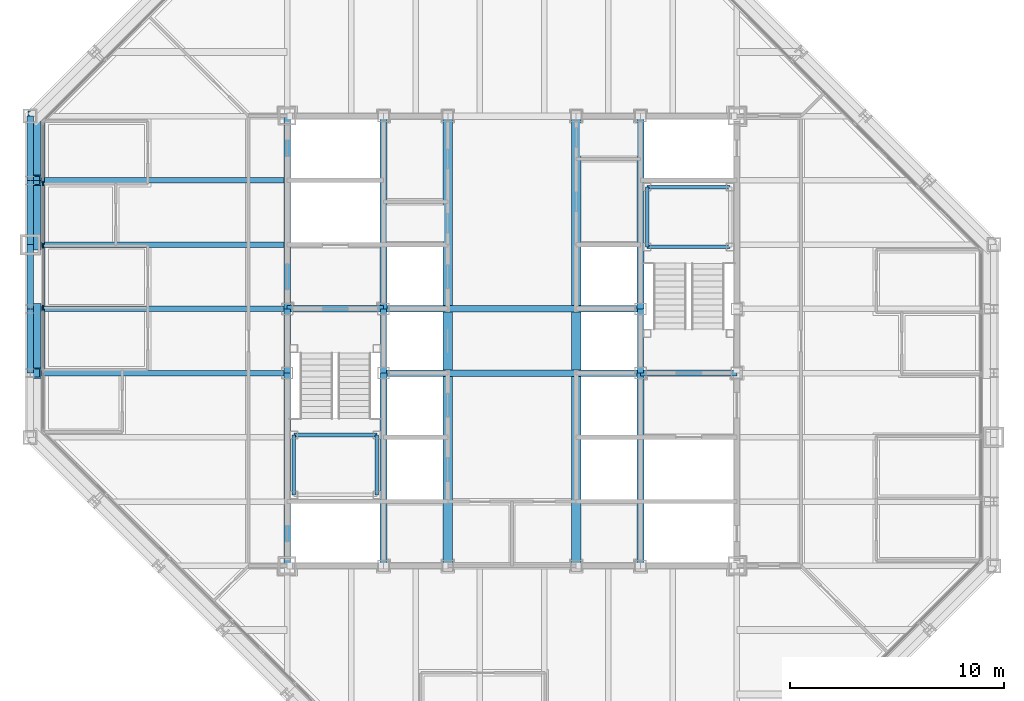
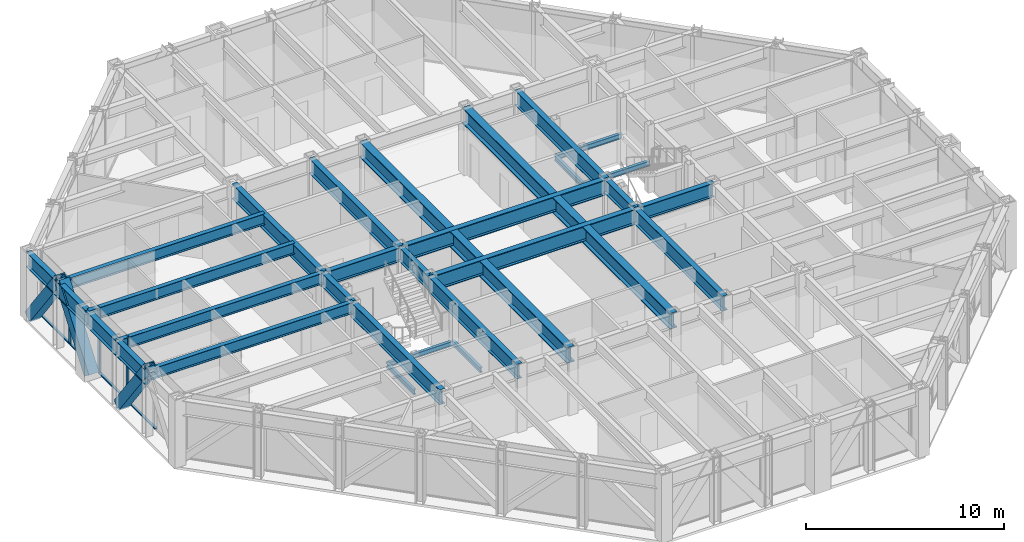
# One storey, part 6 of 16: 33 beams, 10 members, 1 element without a shape of its own.
"""IFC4 building model written with IfcOpenShell, lengths in metres."""

from ifc_helpers import new_model, si_unit, direction, frame, origin, origin_2d, place, context, subcontext, project, spatial, rectangle, hollow_rectangle, i_section, extrude, material, layer, layer_set, material_profile, profile_set, type_object, element, aggregate, save


model = new_model("IFC4")

# Units and contexts
model_context = context("Model", 3, precision=1e-05, world=origin(), true_north=direction((0.0, 1.0)))
body_context = subcontext(model_context, "Body", "Model", "MODEL_VIEW")
ifc_project = project(units=[si_unit("LENGTHUNIT", "METRE"), si_unit("AREAUNIT", "SQUARE_METRE"), si_unit("VOLUMEUNIT", "CUBIC_METRE"), si_unit("PLANEANGLEUNIT", "RADIAN"), si_unit("MASSUNIT", "GRAM", prefix="KILO")], contexts=[model_context])

# Site, building, storey
site_placement = place(None, origin())
site = spatial("IfcSite", under=ifc_project, at=site_placement, CompositionType="ELEMENT")
building_placement = place(site_placement, origin())
building = spatial("IfcBuilding", under=site, at=building_placement, Name="Chuquiago Exchange Tower", CompositionType="ELEMENT")
storey_placement = place(building_placement, frame((0.0, 0.0, 226.5)))
storey = spatial("IfcBuildingStorey", under=building, at=storey_placement, Name="L50", CompositionType="ELEMENT", Elevation=226.5)

# Beams
ifc_material_1 = material(Name="Steel ASTM A992", Category="steel")
ifc_material_profile_1 = material_profile(ifc_material_1, i_section(OverallWidth=0.25390625, OverallDepth=0.683349609375, WebThickness=0.012451171875, FlangeThickness=0.018798828125, at=origin_2d()), Name="W27X94")
ifc_profile_set_1 = profile_set([ifc_material_profile_1], Name="Steel ASTM A992")
beam_type_1 = type_object("IfcBeamType", Name="B1 W27X94", PredefinedType="BEAM", material=ifc_profile_set_1)
for number, where, z_axis, x_axis, name in (
    (1, (12.0, 21.0, 3.698486328125), (-1.0, 0.0, 0.0), (0.0, -1.0, 0.0), "FB-L51-infill-12_21--0_21-0"),
    (2, (12.0, 24.0, 3.698486328125), (-1.0, 0.0, 0.0), (0.0, -1.0, 0.0), "FB-L51-infill-12_24--0_24-0"),
    (3, (12.0, 27.0, 3.698486328125), (-1.0, 0.0, 0.0), (0.0, -1.0, 0.0), "FB-L51-infill-12_27--0_27-0"),
    (4, (12.0, 30.0, 3.698486328125), (-1.0, 0.0, 0.0), (0.0, -1.0, 0.0), "FB-L51-infill-12_30--0_30-0"),
):
    element("IfcBeam", number, at=place(storey_placement, frame(where, z_axis=z_axis, x_axis=x_axis)), inside=storey, type_object=beam_type_1, Name=name, PredefinedType="BEAM", context=body_context, shape_type="SweptSolid", body=[
        extrude(i_section(OverallWidth=0.25390625, OverallDepth=0.683349609375, WebThickness=0.012451171875, FlangeThickness=0.018798828125, at=origin_2d()), origin(), (0.0, 0.0, 1.0), 12.0),
    ])
ifc_material_2 = material(Name="Steel ASTM A992", Category="steel")
ifc_material_profile_2 = material_profile(ifc_material_2, i_section(OverallWidth=0.307373046875, OverallDepth=0.927001953125, WebThickness=0.01953125, FlangeThickness=0.031982421875, at=origin_2d()), Name="W36X194")
ifc_profile_set_2 = profile_set([ifc_material_profile_2], Name="Steel ASTM A992")
beam_type_2 = type_object("IfcBeamType", Name="B10 W36X194", PredefinedType="BEAM", material=ifc_profile_set_2)
for number, where, z_axis, x_axis, name in (
    (5, (12.0, 12.0, 3.576416015625), (0.0, 1.0, 0.0), (-1.0, 0.0, 0.0), "CB-L51-12_12-12_21"),
    (6, (12.0, 24.0, 3.576416015625), (0.0, 1.0, 0.0), (-1.0, 0.0, 0.0), "CB-L51-12_24-12_33"),
    (7, (16.5, 12.0, 3.576416015625), (0.0, 1.0, 0.0), (-1.0, 0.0, 0.0), "CB-L51-16.5_12-16.5_21"),
    (8, (16.5, 24.0, 3.576416015625), (0.0, 1.0, 0.0), (-1.0, 0.0, 0.0), "CB-L51-16.5_24-16.5_33"),
    (9, (28.5, 12.0, 3.576416015625), (0.0, 1.0, 0.0), (-1.0, 0.0, 0.0), "CB-L51-28.5_12-28.5_21"),
    (10, (28.5, 24.0, 3.576416015625), (0.0, 1.0, 0.0), (-1.0, 0.0, 0.0), "CB-L51-28.5_24-28.5_33"),
):
    element("IfcBeam", number, at=place(storey_placement, frame(where, z_axis=z_axis, x_axis=x_axis)), inside=storey, type_object=beam_type_2, Name=name, PredefinedType="BEAM", context=body_context, shape_type="SweptSolid", body=[
        extrude(i_section(OverallWidth=0.307373046875, OverallDepth=0.927001953125, WebThickness=0.01953125, FlangeThickness=0.031982421875, at=origin_2d()), origin(), (0.0, 0.0, 1.0), 9.0),
    ])
ifc_material_3 = material(Name="Steel ASTM A992", Category="steel")
ifc_material_profile_3 = material_profile(ifc_material_3, i_section(OverallWidth=0.309814453125, OverallDepth=0.949951171875, WebThickness=0.0244140625, FlangeThickness=0.0439453125, at=origin_2d()), Name="W36X256")
ifc_profile_set_3 = profile_set([ifc_material_profile_3], Name="Steel ASTM A992")
beam_type_3 = type_object("IfcBeamType", Name="B11 W36X256", PredefinedType="BEAM", material=ifc_profile_set_3)
for number, where, z_axis, x_axis, name in (
    (11, (16.5, 21.0, 3.56494140625), (1.0, 0.0, 0.0), (0.0, 1.0, 0.0), "CB-L51-16.5_21-28.5_21"),
    (12, (16.5, 24.0, 3.56494140625), (1.0, 0.0, 0.0), (0.0, 1.0, 0.0), "CB-L51-16.5_24-28.5_24"),
):
    element("IfcBeam", number, at=place(storey_placement, frame(where, z_axis=z_axis, x_axis=x_axis)), inside=storey, type_object=beam_type_3, Name=name, PredefinedType="BEAM", context=body_context, shape_type="SweptSolid", body=[
        extrude(i_section(OverallWidth=0.309814453125, OverallDepth=0.949951171875, WebThickness=0.0244140625, FlangeThickness=0.0439453125, at=origin_2d()), origin(), (0.0, 0.0, 1.0), 12.0),
    ])
ifc_material_4 = material(Name="Steel ASTM A992", Category="steel")
ifc_material_profile_4 = material_profile(ifc_material_4, i_section(OverallWidth=0.4267578125, OverallDepth=0.975341796875, WebThickness=0.031005859375, FlangeThickness=0.055908203125, at=origin_2d()), Name="W36X395")
ifc_profile_set_4 = profile_set([ifc_material_profile_4], Name="Steel ASTM A992")
beam_type_4 = type_object("IfcBeamType", Name="B12 W36X395", PredefinedType="BEAM", material=ifc_profile_set_4)
beam_1_placement = place(storey_placement, frame((19.5, 12.0, 3.55224609375), z_axis=(0.0, 1.0, 0.0), x_axis=(-1.0, 0.0, 0.0)))
element("IfcBeam", 13, at=beam_1_placement, inside=storey, type_object=beam_type_4, Name="CB-L51-19.5_12-19.5_20.8451", PredefinedType="BEAM", context=body_context, shape_type="SweptSolid", body=[
    extrude(i_section(OverallWidth=0.4267578125, OverallDepth=0.975341796875, WebThickness=0.031005859375, FlangeThickness=0.055908203125, at=origin_2d()), origin(), (0.0, 0.0, 1.0), 8.84521484375),
])
beam_2_placement = place(storey_placement, frame((19.5, 21.15478515625, 3.55224609375), z_axis=(0.0, 1.0, 0.0), x_axis=(-1.0, 0.0, 0.0)))
element("IfcBeam", 14, at=beam_2_placement, inside=storey, type_object=beam_type_4, Name="CB-L51-19.5_21.1549-19.5_23.8451", PredefinedType="BEAM", context=body_context, shape_type="SweptSolid", body=[
    extrude(i_section(OverallWidth=0.4267578125, OverallDepth=0.975341796875, WebThickness=0.031005859375, FlangeThickness=0.055908203125, at=origin_2d()), origin(), (0.0, 0.0, 1.0), 2.6904296875),
])
for number, where, z_axis, x_axis, name in (
    (15, (19.5, 24.15478515625, 3.55224609375), (0.0, 1.0, 0.0), (-1.0, 0.0, 0.0), "CB-L51-19.5_24.1549-19.5_33"),
    (16, (25.5, 12.0, 3.55224609375), (0.0, 1.0, 0.0), (-1.0, 0.0, 0.0), "CB-L51-25.5_12-25.5_20.8451"),
):
    element("IfcBeam", number, at=place(storey_placement, frame(where, z_axis=z_axis, x_axis=x_axis)), inside=storey, type_object=beam_type_4, Name=name, PredefinedType="BEAM", context=body_context, shape_type="SweptSolid", body=[
        extrude(i_section(OverallWidth=0.4267578125, OverallDepth=0.975341796875, WebThickness=0.031005859375, FlangeThickness=0.055908203125, at=origin_2d()), origin(), (0.0, 0.0, 1.0), 8.84521484375),
    ])
beam_3_placement = place(storey_placement, frame((25.5, 21.15478515625, 3.55224609375), z_axis=(0.0, 1.0, 0.0), x_axis=(-1.0, 0.0, 0.0)))
element("IfcBeam", 17, at=beam_3_placement, inside=storey, type_object=beam_type_4, Name="CB-L51-25.5_21.1549-25.5_23.8451", PredefinedType="BEAM", context=body_context, shape_type="SweptSolid", body=[
    extrude(i_section(OverallWidth=0.4267578125, OverallDepth=0.975341796875, WebThickness=0.031005859375, FlangeThickness=0.055908203125, at=origin_2d()), origin(), (0.0, 0.0, 1.0), 2.6904296875),
])
beam_4_placement = place(storey_placement, frame((25.5, 24.15478515625, 3.55224609375), z_axis=(0.0, 1.0, 0.0), x_axis=(-1.0, 0.0, 0.0)))
element("IfcBeam", 18, at=beam_4_placement, inside=storey, type_object=beam_type_4, Name="CB-L51-25.5_24.1549-25.5_33", PredefinedType="BEAM", context=body_context, shape_type="SweptSolid", body=[
    extrude(i_section(OverallWidth=0.4267578125, OverallDepth=0.975341796875, WebThickness=0.031005859375, FlangeThickness=0.055908203125, at=origin_2d()), origin(), (0.0, 0.0, 1.0), 8.84521484375),
])
ifc_material_5 = material(Name="Steel ASTM A992", Category="steel")
ifc_material_profile_5 = material_profile(ifc_material_5, i_section(OverallWidth=0.2919921875, OverallDepth=0.8583984375, WebThickness=0.01708984375, FlangeThickness=0.031005859375, at=origin_2d()), Name="W33X169")
ifc_profile_set_5 = profile_set([ifc_material_profile_5], Name="Steel ASTM A992")
beam_type_5 = type_object("IfcBeamType", Name="B3 W33X169", PredefinedType="BEAM", material=ifc_profile_set_5)
for number, where, z_axis, x_axis, name in (
    (19, (12.0, 21.0, 3.610595703125), (0.0, 1.0, 0.0), (-1.0, 0.0, 0.0), "CB-L51-12_21-12_24"),
    (20, (16.5, 21.0, 3.610595703125), (0.0, 1.0, 0.0), (-1.0, 0.0, 0.0), "CB-L51-16.5_21-16.5_24"),
    (21, (28.5, 21.0, 3.610595703125), (0.0, 1.0, 0.0), (-1.0, 0.0, 0.0), "CB-L51-28.5_21-28.5_24"),
):
    element("IfcBeam", number, at=place(storey_placement, frame(where, z_axis=z_axis, x_axis=x_axis)), inside=storey, type_object=beam_type_5, Name=name, PredefinedType="BEAM", context=body_context, shape_type="SweptSolid", body=[
        extrude(i_section(OverallWidth=0.2919921875, OverallDepth=0.8583984375, WebThickness=0.01708984375, FlangeThickness=0.031005859375, at=origin_2d()), origin(), (0.0, 0.0, 1.0), 3.0),
    ])
for number, where, z_axis, x_axis, name in (
    (22, (28.5, 21.0, 3.610595703125), (1.0, 0.0, 0.0), (0.0, 1.0, 0.0), "CB-L51-28.5_21-33_21"),
    (23, (12.0, 24.0, 3.610595703125), (1.0, 0.0, 0.0), (0.0, 1.0, 0.0), "CB-L51-12_24-16.5_24"),
):
    element("IfcBeam", number, at=place(storey_placement, frame(where, z_axis=z_axis, x_axis=x_axis)), inside=storey, type_object=beam_type_5, Name=name, PredefinedType="BEAM", context=body_context, shape_type="SweptSolid", body=[
        extrude(i_section(OverallWidth=0.2919921875, OverallDepth=0.8583984375, WebThickness=0.01708984375, FlangeThickness=0.031005859375, at=origin_2d()), origin(), (0.0, 0.0, 1.0), 4.5),
    ])

# Curtain wall, members
ifc_material_6 = material(Name="Aluminium curtain wall system", Category="aluminium")
ifc_layer = layer(ifc_material_6, 0.22509765625)
ifc_layer_set = layer_set([ifc_layer], Name="CW2 office curtain wall")
curtain_wall_type = type_object("IfcCurtainWallType", Name="CW2 office curtain wall", PredefinedType="NOTDEFINED", material=ifc_layer_set)
curtain_wall_placement = place(storey_placement, origin())
curtain_wall = element("IfcCurtainWall", 24, at=curtain_wall_placement, inside=storey, type_object=curtain_wall_type, Name="CW2 curtain wall L50", PredefinedType="NOTDEFINED")
ifc_material_7 = material(Name="Aluminium mullion, pale anodised", Category="aluminium")
ifc_material_profile_6 = material_profile(ifc_material_7, rectangle(XDim=0.06494140625, YDim=0.22509765625, at=origin_2d()), Name="AL 65x225")
ifc_profile_set_6 = profile_set([ifc_material_profile_6], Name="Aluminium mullion, pale anodised")
member_type_1 = type_object("IfcMemberType", Name="CW2-M mullion 65x225", PredefinedType="MULLION", material=ifc_profile_set_6)
member_1_placement = place(storey_placement, frame((0.60009765625, 29.850830078125, 0.0), z_axis=(0.0, 0.0, 1.0), x_axis=(1.0, 0.0, 0.0)))
member_1 = element("IfcMember", 25, at=member_1_placement, type_object=member_type_1, Name="CW2 mullion 2", PredefinedType="MULLION", context=body_context, shape_type="SweptSolid", body=[
    extrude(rectangle(XDim=0.06494140625, YDim=0.22509765625, at=origin_2d()), origin(), (0.0, 0.0, 1.0), 4.0400390625),
])
member_2_placement = place(storey_placement, frame((0.60009765625, 26.9501953125, 0.0), z_axis=(0.0, 0.0, 1.0), x_axis=(1.0, 0.0, 0.0)))
member_2 = element("IfcMember", 26, at=member_2_placement, type_object=member_type_1, Name="CW2 mullion 3", PredefinedType="MULLION", context=body_context, shape_type="SweptSolid", body=[
    extrude(rectangle(XDim=0.06494140625, YDim=0.22509765625, at=origin_2d()), origin(), (0.0, 0.0, 1.0), 4.0400390625),
])
member_3_placement = place(storey_placement, frame((0.60009765625, 24.0498046875, 0.0), z_axis=(0.0, 0.0, 1.0), x_axis=(1.0, 0.0, 0.0)))
member_3 = element("IfcMember", 27, at=member_3_placement, type_object=member_type_1, Name="CW2 mullion 4", PredefinedType="MULLION", context=body_context, shape_type="SweptSolid", body=[
    extrude(rectangle(XDim=0.06494140625, YDim=0.22509765625, at=origin_2d()), origin(), (0.0, 0.0, 1.0), 4.0400390625),
])
ifc_material_8 = material(Name="Aluminium transom, pale anodised", Category="aluminium")
ifc_material_profile_7 = material_profile(ifc_material_8, rectangle(XDim=0.139892578125, YDim=0.06494140625, at=origin_2d()), Name="AL 140x65")
ifc_profile_set_7 = profile_set([ifc_material_profile_7], Name="Aluminium transom, pale anodised")
member_type_2 = type_object("IfcMemberType", Name="CW2-T transom 65x140", PredefinedType="MULLION", material=ifc_profile_set_7)
member_4_placement = place(storey_placement, frame((0.60009765625, 32.6865234375, 0.032470703125), z_axis=(0.0, -1.0, 0.0), x_axis=(1.0, 0.0, 0.0)))
member_4 = element("IfcMember", 28, at=member_4_placement, type_object=member_type_2, Name="CW2 transom 1.1", PredefinedType="MULLION", context=body_context, shape_type="SweptSolid", body=[
    extrude(rectangle(XDim=0.139892578125, YDim=0.06494140625, at=origin_2d()), origin(), (0.0, 0.0, 1.0), 2.80322265625),
])
member_5_placement = place(storey_placement, frame((0.60009765625, 29.818359375, 0.032470703125), z_axis=(0.0, -1.0, 0.0), x_axis=(1.0, 0.0, 0.0)))
member_5 = element("IfcMember", 29, at=member_5_placement, type_object=member_type_2, Name="CW2 transom 2.1", PredefinedType="MULLION", context=body_context, shape_type="SweptSolid", body=[
    extrude(rectangle(XDim=0.139892578125, YDim=0.06494140625, at=origin_2d()), origin(), (0.0, 0.0, 1.0), 2.83544921875),
])
member_6_placement = place(storey_placement, frame((0.60009765625, 26.917724609375, 0.032470703125), z_axis=(0.0, -1.0, 0.0), x_axis=(1.0, 0.0, 0.0)))
member_6 = element("IfcMember", 30, at=member_6_placement, type_object=member_type_2, Name="CW2 transom 3.1", PredefinedType="MULLION", context=body_context, shape_type="SweptSolid", body=[
    extrude(rectangle(XDim=0.139892578125, YDim=0.06494140625, at=origin_2d()), origin(), (0.0, 0.0, 1.0), 2.83544921875),
])
member_7_placement = place(storey_placement, frame((0.60009765625, 24.01708984375, 0.032470703125), z_axis=(0.0, -1.0, 0.0), x_axis=(1.0, 0.0, 0.0)))
member_7 = element("IfcMember", 31, at=member_7_placement, type_object=member_type_2, Name="CW2 transom 4.1", PredefinedType="MULLION", context=body_context, shape_type="SweptSolid", body=[
    extrude(rectangle(XDim=0.139892578125, YDim=0.06494140625, at=origin_2d()), origin(), (0.0, 0.0, 1.0), 2.83544921875),
])
aggregate(curtain_wall, [member_1, member_2, member_3, member_4, member_5, member_6, member_7])

# Beams
ifc_material_9 = material(Name="Steel ASTM A992", Category="steel")
ifc_material_profile_8 = material_profile(ifc_material_9, i_section(OverallWidth=0.164794921875, OverallDepth=0.309814453125, WebThickness=0.005859375, FlangeThickness=0.009765625, at=origin_2d()), Name="W12X26")
ifc_profile_set_8 = profile_set([ifc_material_profile_8], Name="Steel ASTM A992")
beam_type_6 = type_object("IfcBeamType", Name="LS1 W12X26", PredefinedType="BEAM", material=ifc_profile_set_8)
for number, where, z_axis, x_axis, name in (
    (32, (12.31005859375, 15.31005859375, 1.7451171875), (0.0, 1.0, 0.0), (-1.0, 0.0, 0.0), "Stair ST1 L50 landing 1 stringer"),
    (33, (16.18994140625, 15.31005859375, 1.7451171875), (0.0, 1.0, 0.0), (-1.0, 0.0, 0.0), "Stair ST1 L50 landing 1 stringer"),
    (34, (28.81005859375, 26.889892578125, 1.7451171875), (0.0, 1.0, 0.0), (-1.0, 0.0, 0.0), "Stair ST2 L50 landing 1 stringer"),
):
    element("IfcBeam", number, at=place(storey_placement, frame(where, z_axis=z_axis, x_axis=x_axis)), inside=storey, type_object=beam_type_6, Name=name, PredefinedType="BEAM", context=body_context, shape_type="SweptSolid", body=[
        extrude(i_section(OverallWidth=0.164794921875, OverallDepth=0.309814453125, WebThickness=0.005859375, FlangeThickness=0.009765625, at=origin_2d()), origin(), (0.0, 0.0, 1.0), 2.800048828125),
    ])
ifc_material_10 = material(Name="Steel ASTM A992", Category="steel")
ifc_material_profile_9 = material_profile(ifc_material_10, i_section(OverallWidth=0.164794921875, OverallDepth=0.309814453125, WebThickness=0.005859375, FlangeThickness=0.009765625, at=origin_2d()), Name="W12X26")
ifc_profile_set_9 = profile_set([ifc_material_profile_9], Name="Steel ASTM A992")
beam_type_7 = type_object("IfcBeamType", Name="LT1 W12X26", PredefinedType="BEAM", material=ifc_profile_set_9)
for number, where, z_axis, x_axis, name in (
    (35, (12.31005859375, 18.110107421875, 1.7451171875), (1.0, 0.0, 0.0), (0.0, 1.0, 0.0), "Stair ST1 L50 landing 1 trimmer"),
    (36, (28.81005859375, 29.68994140625, 1.7451171875), (1.0, 0.0, 0.0), (0.0, 1.0, 0.0), "Stair ST2 L50 landing 1 trimmer"),
    (37, (28.81005859375, 26.889892578125, 1.7451171875), (1.0, 0.0, 0.0), (0.0, 1.0, 0.0), "Stair ST2 L50 landing 1 trimmer"),
):
    element("IfcBeam", number, at=place(storey_placement, frame(where, z_axis=z_axis, x_axis=x_axis)), inside=storey, type_object=beam_type_7, Name=name, PredefinedType="BEAM", context=body_context, shape_type="SweptSolid", body=[
        extrude(i_section(OverallWidth=0.164794921875, OverallDepth=0.309814453125, WebThickness=0.005859375, FlangeThickness=0.009765625, at=origin_2d()), origin(), (0.0, 0.0, 1.0), 3.8798828125),
    ])

# Members
ifc_material_11 = material(Name="Steel ASTM A572 Grade 50", Category="steel")
ifc_material_profile_10 = material_profile(ifc_material_11, hollow_rectangle(XDim=0.60009765625, YDim=0.60009765625, WallThickness=0.06005859375, at=origin_2d()), Name="BOX600X600X60")
ifc_profile_set_10 = profile_set([ifc_material_profile_10], Name="Steel ASTM A572 Grade 50")
member_type_3 = type_object("IfcMemberType", Name="MB3 BOX600X600X60", PredefinedType="BRACE", material=ifc_profile_set_10)
for number, where, z_axis, x_axis, name in (
    (38, (0.205078125, 33.0, 0.0), (0.0, -0.596173923302, 0.802855312728), (1.0, 0.0, 0.0), "Mega diagonal L50 W face"),
    (39, (0.205078125, 27.0, 0.0), (0.0, 0.596173923302, 0.802855312728), (-1.0, 0.0, 0.0), "Mega diagonal L50 W face"),
    (40, (0.205078125, 24.0, 0.0), (0.0, -0.596173923302, 0.802855312728), (1.0, 0.0, 0.0), "Mega diagonal L50 W face"),
):
    element("IfcMember", number, at=place(storey_placement, frame(where, z_axis=z_axis, x_axis=x_axis)), inside=storey, type_object=member_type_3, Name=name, PredefinedType="BRACE", context=body_context, shape_type="SweptSolid", body=[
        extrude(hollow_rectangle(XDim=0.60009765625, YDim=0.60009765625, WallThickness=0.06005859375, at=origin_2d()), origin(), (0.0, 0.0, 1.0), 5.031982421875),
    ])

# Beams
ifc_material_12 = material(Name="Steel ASTM A992", Category="steel")
ifc_material_profile_11 = material_profile(ifc_material_12, i_section(OverallWidth=0.307373046875, OverallDepth=0.927001953125, WebThickness=0.01953125, FlangeThickness=0.031982421875, at=origin_2d()), Name="W36X194")
ifc_profile_set_11 = profile_set([ifc_material_profile_11], Name="Steel ASTM A992")
beam_type_8 = type_object("IfcBeamType", Name="SP3 W36X194", PredefinedType="SPANDREL", material=ifc_profile_set_11)
for number, where, z_axis, x_axis, name in (
    (41, (0.0, 33.0, 3.576416015625), (0.0, -1.0, 0.0), (1.0, 0.0, 0.0), "SPB-L51-0_33-0_30"),
    (42, (0.0, 30.0, 3.576416015625), (0.0, -1.0, 0.0), (1.0, 0.0, 0.0), "SPB-L51-0_30-0_27"),
    (43, (0.0, 27.0, 3.576416015625), (0.0, -1.0, 0.0), (1.0, 0.0, 0.0), "SPB-L51-0_27-0_24"),
    (44, (0.0, 24.0, 3.576416015625), (0.0, -1.0, 0.0), (1.0, 0.0, 0.0), "SPB-L51-0_24-0_21"),
):
    element("IfcBeam", number, at=place(storey_placement, frame(where, z_axis=z_axis, x_axis=x_axis)), inside=storey, type_object=beam_type_8, Name=name, PredefinedType="SPANDREL", context=body_context, shape_type="SweptSolid", body=[
        extrude(i_section(OverallWidth=0.307373046875, OverallDepth=0.927001953125, WebThickness=0.01953125, FlangeThickness=0.031982421875, at=origin_2d()), origin(), (0.0, 0.0, 1.0), 3.0),
    ])

save(model, "model.ifc")
